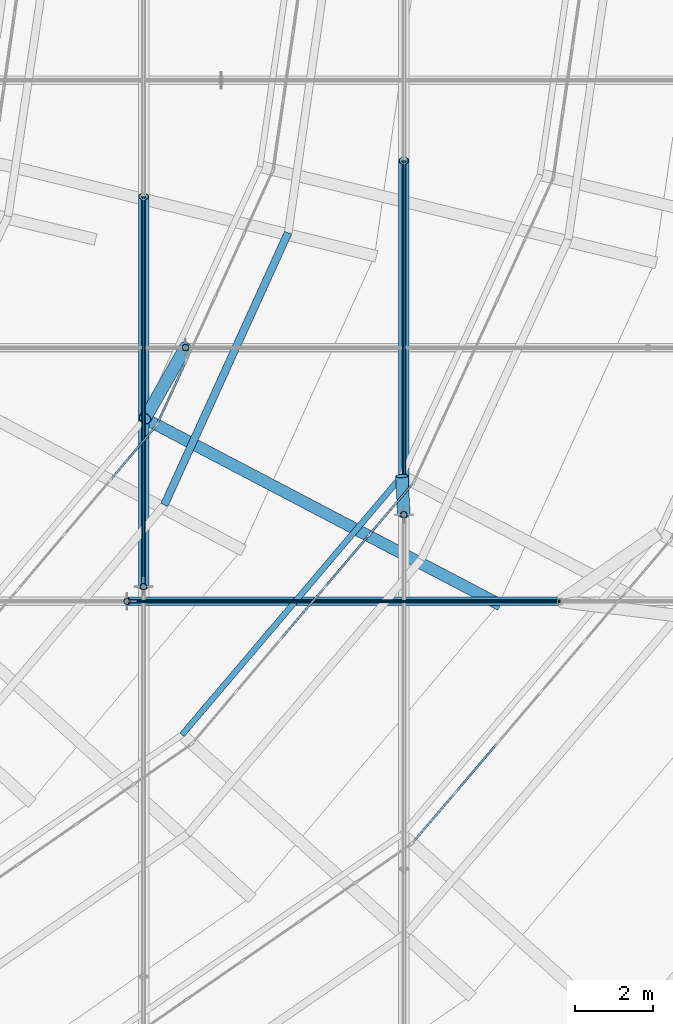
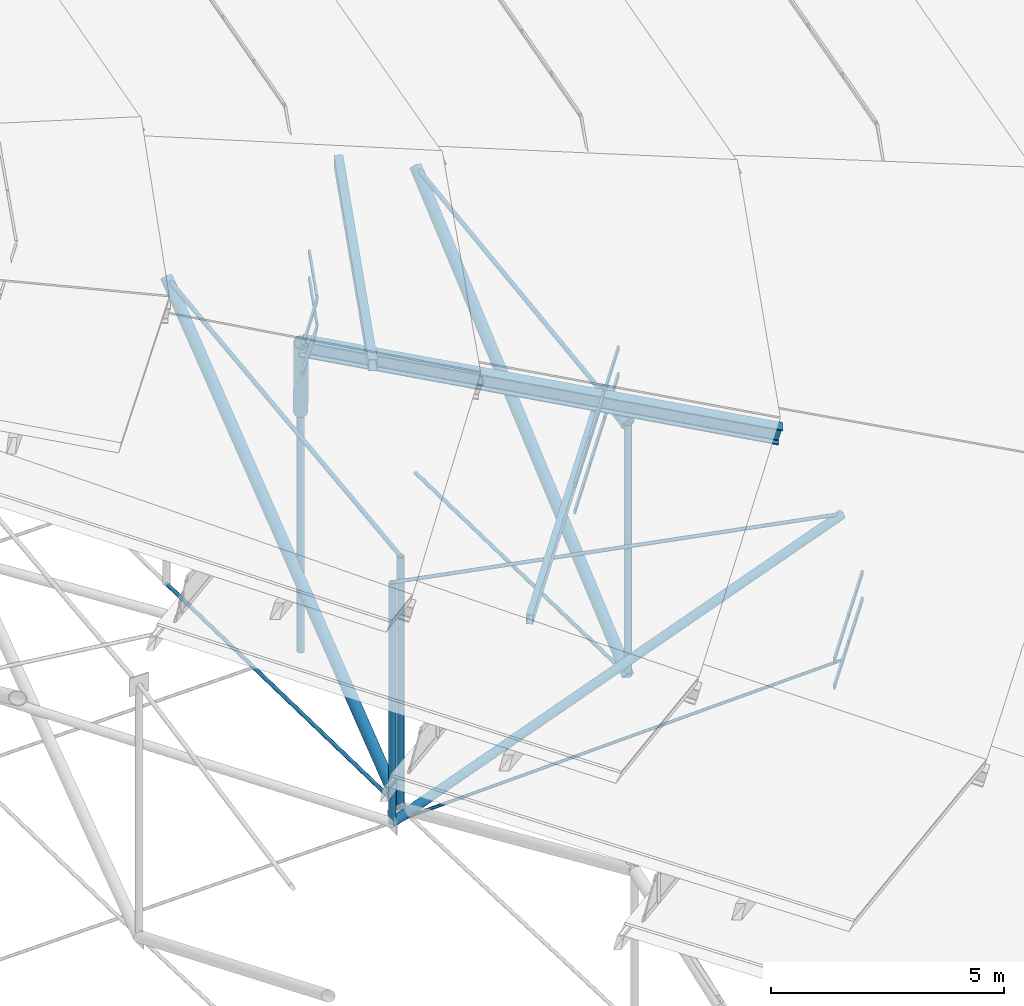
# One storey, part 80 of 173: 32 members, 4 elements without a shape of their own.
"""IFC4 building model written with IfcOpenShell, lengths in metres."""

import ifcopenshell
import ifcopenshell.guid

model = None  # the IFC model being written
_history = None  # IfcOwnerHistory: only IFC2X3 demands one
_inside = {}  # id of a spatial element -> (the spatial element, [elements in it])
_under = {}  # id of a project, library or spatial element -> (it, [spatial elements below it])
_declared = {}  # id of a project -> (the project, [libraries it declares])
_typed = {}  # id of a type object -> (the type object, [elements of that type])
_made_of = {}  # id of a material, layer set ... -> (it, [elements and type objects made of it])


def new_model(schema):
    """Start an empty IFC model of exactly this schema.

    Asked for "IFC4X3", IfcOpenShell would pick the latest addendum, in which some entities
    have other attributes; the version numbers below select the first issue.
    IFC2X3 requires an IfcOwnerHistory on every rooted entity: one is made here for all.
    """
    global model, _history
    if schema == "IFC4X3":
        model = ifcopenshell.file(schema_version=(4, 3, 0, 0))
    else:
        model = ifcopenshell.file(schema=schema)
    _inside.clear()
    _under.clear()
    _declared.clear()
    _typed.clear()
    _made_of.clear()
    _history = None
    if model.schema == "IFC2X3":
        org = make("IfcOrganization", Name="unknown")
        user = make(
            "IfcPersonAndOrganization",
            ThePerson=make("IfcPerson", FamilyName="unknown"),
            TheOrganization=org,
        )
        app = make(
            "IfcApplication",
            ApplicationDeveloper=org,
            Version="unknown",
            ApplicationFullName="unknown",
            ApplicationIdentifier="unknown",
        )
        _history = make(
            "IfcOwnerHistory",
            OwningUser=user,
            OwningApplication=app,
            ChangeAction="ADDED",
            CreationDate=0,
        )
    return model


def make(cls, **values):
    """One entity of the class cls with the attributes given. An attribute that is None is left unset."""
    return model.create_entity(
        cls, **{name: value for name, value in values.items() if value is not None}
    )


def rooted(cls, **values):
    """An entity with a GlobalId (a new one), such as an element, a storey or a relation."""
    return make(cls, GlobalId=ifcopenshell.guid.new(), OwnerHistory=_history, **values)


def si_unit(unit_type, name, prefix=None):
    """IfcSIUnit, for example si_unit("LENGTHUNIT", "METRE", prefix="MILLI")."""
    return make("IfcSIUnit", UnitType=unit_type, Prefix=prefix, Name=name)


def assignment(units):
    """IfcUnitAssignment: the units of a project."""
    return None if units is None else make("IfcUnitAssignment", Units=units)


def point(xyz):
    """IfcCartesianPoint."""
    return None if xyz is None else make("IfcCartesianPoint", Coordinates=xyz)


def direction(xyz):
    """IfcDirection."""
    return None if xyz is None else make("IfcDirection", DirectionRatios=xyz)


def frame(location, z_axis=None, x_axis=None):
    """IfcAxis2Placement3D, a coordinate frame: its origin and axes. An axis left out is left unset."""
    return make(
        "IfcAxis2Placement3D",
        Location=point(location),
        Axis=direction(z_axis),
        RefDirection=direction(x_axis),
    )


def frame_2d(location, x_axis=None):
    """IfcAxis2Placement2D, a coordinate frame in the plane: its origin and x axis."""
    return make(
        "IfcAxis2Placement2D", Location=point(location), RefDirection=direction(x_axis)
    )


def origin():
    """The frame at (0, 0, 0) with its axes left unset."""
    return frame((0.0, 0.0, 0.0))


def origin_2d():
    """The frame at (0, 0) in the plane with its x axis left unset."""
    return frame_2d((0.0, 0.0))


def place(relative_to, where):
    """IfcLocalPlacement: puts the frame where relative to a parent placement (None: the world)."""
    return make(
        "IfcLocalPlacement", PlacementRelTo=relative_to, RelativePlacement=where
    )


def context(
    kind, dimensions, precision=None, world=None, true_north=None, identifier=None
):
    """IfcGeometricRepresentationContext, for example the 3D "Model" context."""
    return make(
        "IfcGeometricRepresentationContext",
        ContextIdentifier=identifier,
        ContextType=kind,
        CoordinateSpaceDimension=dimensions,
        Precision=precision,
        WorldCoordinateSystem=world,
        TrueNorth=true_north,
    )


def subcontext(parent, identifier, kind, view, scale=None):
    """IfcGeometricRepresentationSubContext, for example "Body" below "Model"."""
    return make(
        "IfcGeometricRepresentationSubContext",
        ContextIdentifier=identifier,
        ContextType=kind,
        ParentContext=parent,
        TargetScale=scale,
        TargetView=view,
    )


def project(units=None, contexts=None):
    """IfcProject with its units and contexts."""
    return rooted(
        "IfcProject",
        Name="project",
        RepresentationContexts=contexts,
        UnitsInContext=assignment(units),
    )


def spatial(cls, under=None, at=None, **own):
    """A site, building, storey or space (cls), placed at a placement, below another one or the project."""
    s = rooted(cls, ObjectPlacement=at, **own)
    if under is not None:
        _under.setdefault(under.id(), (under, []))[1].append(s)
    return s


def profile(cls, at=None, kind="AREA", **sizes):
    """A parametric profile (cls). Its sizes go by their IFC names, for example OverallWidth=200.0."""
    return make(cls, ProfileType=kind, Position=at, **sizes)


def rectangle(**sizes):
    """IfcRectangleProfileDef."""
    return profile("IfcRectangleProfileDef", **sizes)


def hollow_rectangle(**sizes):
    """IfcRectangleHollowProfileDef."""
    return profile("IfcRectangleHollowProfileDef", **sizes)


def circle(**sizes):
    """IfcCircleProfileDef."""
    return profile("IfcCircleProfileDef", **sizes)


def hollow_circle(**sizes):
    """IfcCircleHollowProfileDef."""
    return profile("IfcCircleHollowProfileDef", **sizes)


def i_section(**sizes):
    """IfcIShapeProfileDef."""
    return profile("IfcIShapeProfileDef", **sizes)


def extrude(swept, where, along, depth):
    """IfcExtrudedAreaSolid: the profile swept, set in the frame where, extruded along a direction by depth."""
    return make(
        "IfcExtrudedAreaSolid",
        SweptArea=swept,
        Position=where,
        ExtrudedDirection=direction(along),
        Depth=depth,
    )


def shape(context_of_items, identifier, shape_type, items):
    """IfcShapeRepresentation: the items that make up one representation, for example the "Body"."""
    return make(
        "IfcShapeRepresentation",
        ContextOfItems=context_of_items,
        RepresentationIdentifier=identifier,
        RepresentationType=shape_type,
        Items=items,
    )


def material(Name=None, Category=None):
    """IfcMaterial."""
    return make("IfcMaterial", Name=Name, Category=Category)


def material_profile(
    of_material, cross_section, Name=None, Category=None, Priority=None
):
    """IfcMaterialProfile: a cross section and its material."""
    return make(
        "IfcMaterialProfile",
        Name=Name,
        Material=of_material,
        Profile=cross_section,
        Priority=Priority,
        Category=Category,
    )


def profile_set(profiles, Name=None, composite=None):
    """IfcMaterialProfileSet."""
    return make(
        "IfcMaterialProfileSet",
        Name=Name,
        MaterialProfiles=profiles,
        CompositeProfile=composite,
    )


def made_of(thing, what):
    """Note that an element or type object is made of a material, layer set ...; save() writes the relation."""
    if what is not None:
        _made_of.setdefault(what.id(), (what, []))[1].append(thing)
    return thing


def type_object(cls, material=None, **own):
    """A type object (cls), such as IfcWallType, which elements share."""
    return made_of(rooted(cls, **own), material)


def element(
    cls,
    number,
    at=None,
    inside=None,
    cuts=None,
    type_object=None,
    material=None,
    context=None,
    identifier="Body",
    shape_type=None,
    held_by="IfcProductDefinitionShape",
    body=None,
    shapes=None,
    **own,
):
    """One element of the class cls, such as IfcWall. Its Tag is "e" and its number.

    at: its placement. inside: the storey or other place that contains it. cuts: it is an
    opening in that element (IfcRelVoidsElement). A single representation is given by context,
    identifier, shape_type and body (its items); several are given by shapes. held_by: the class
    of the entity that holds the representations. save() writes the other relations.
    """
    e = rooted(cls, Tag="e%d" % number, ObjectPlacement=at, **own)
    if body is not None:
        shapes = [shape(context, identifier, shape_type, body)]
    if shapes is not None:
        e.Representation = make(held_by, Representations=shapes)
    if inside is not None:
        _inside.setdefault(inside.id(), (inside, []))[1].append(e)
    if cuts is not None:
        rooted(
            "IfcRelVoidsElement", RelatingBuildingElement=cuts, RelatedOpeningElement=e
        )
    if type_object is not None:
        _typed.setdefault(type_object.id(), (type_object, []))[1].append(e)
    return made_of(e, material)


def aggregate(whole, parts):
    """IfcRelAggregates: a whole, such as a stair, and the parts it consists of."""
    return rooted("IfcRelAggregates", RelatingObject=whole, RelatedObjects=parts)


def save(model, path):
    """Write the relations noted so far, then the file.

    IfcRelAggregates (storeys below a building ...), IfcRelContainedInSpatialStructure (elements
    in a storey), IfcRelDefinesByType, IfcRelAssociatesMaterial and IfcRelDeclares: one each for
    every whole, place, type object, material and project.
    """
    for whole, parts in _under.values():
        aggregate(whole, parts)
    for where, things in _inside.values():
        rooted(
            "IfcRelContainedInSpatialStructure",
            RelatedElements=things,
            RelatingStructure=where,
        )
    for kind, things in _typed.values():
        rooted("IfcRelDefinesByType", RelatedObjects=things, RelatingType=kind)
    for what, things in _made_of.values():
        rooted("IfcRelAssociatesMaterial", RelatedObjects=things, RelatingMaterial=what)
    for by, libraries in _declared.values():
        rooted("IfcRelDeclares", RelatingContext=by, RelatedDefinitions=libraries)
    model.write(path)


model = new_model("IFC4")

# Units and contexts
model_context = context("Model", 3, precision=1e-05, world=origin(), true_north=direction((0.0, 1.0)))
body_context = subcontext(model_context, "Body", "Model", "MODEL_VIEW")
ifc_project = project(units=[si_unit("LENGTHUNIT", "METRE"), si_unit("AREAUNIT", "SQUARE_METRE"), si_unit("VOLUMEUNIT", "CUBIC_METRE"), si_unit("PLANEANGLEUNIT", "RADIAN"), si_unit("MASSUNIT", "GRAM", prefix="KILO")], contexts=[model_context])

# Site, building, storey
site_placement = place(None, origin())
site = spatial("IfcSite", under=ifc_project, at=site_placement, CompositionType="ELEMENT")
building_placement = place(site_placement, origin())
building = spatial("IfcBuilding", under=site, at=building_placement, Name="Glasvene Arena", CompositionType="ELEMENT")
storey_placement = place(building_placement, frame((0.0, 0.0, 28.800048828125)))
storey = spatial("IfcBuildingStorey", under=building, at=storey_placement, Name="RF", CompositionType="ELEMENT", Elevation=28.800048828125)

# Curtain wall, members
ifc_material_1 = material(Name="Low-emissivity laminated double glazing", Category="glass")
curtain_wall_type_1 = type_object("IfcCurtainWallType", Name="CW-PET1-1026x75", PredefinedType="USERDEFINED", material=ifc_material_1)
curtain_wall_1_placement = place(storey_placement, frame((121.59228515625, 46.342041015625, 0.0)))
curtain_wall_1 = element("IfcCurtainWall", 1, at=curtain_wall_1_placement, inside=storey, type_object=curtain_wall_type_1, Name="Petal ring 1-2 clerestory curtain wall 22", ObjectType="CURTAIN WALL", PredefinedType="USERDEFINED")
ifc_material_2 = material(Name="Anodised architectural aluminium", Category="aluminium")
ifc_material_profile_1 = material_profile(ifc_material_2, rectangle(XDim=0.050048828125, YDim=0.1201171875, at=origin_2d()), Name="ALU TRANSOM 50x120")
ifc_profile_set_1 = profile_set([ifc_material_profile_1], Name="Anodised architectural aluminium")
member_type_1 = type_object("IfcMemberType", Name="CW-TRN-120", PredefinedType="USERDEFINED", material=ifc_profile_set_1)
member_1_placement = place(storey_placement, frame((121.624755859375, 46.380126953125, 2.60498046875), z_axis=(0.648463249482, 0.761245961613, 0.0), x_axis=(-0.761245961613, 0.648463249482, 0.0)))
member_1 = element("IfcMember", 2, at=member_1_placement, type_object=member_type_1, Name="CW-083 transom 1.1", ObjectType="TRANSOM", PredefinedType="USERDEFINED", context=body_context, shape_type="SweptSolid", body=[
    extrude(rectangle(XDim=0.050048828125, YDim=0.1201171875, at=origin_2d()), origin(), (0.0, 0.0, 1.0), 1.63427734375),
])
member_2_placement = place(storey_placement, frame((121.624755859375, 46.380126953125, 3.304931640625), z_axis=(0.648463249482, 0.761245961613, 0.0), x_axis=(-0.761245961613, 0.648463249482, 0.0)))
member_2 = element("IfcMember", 3, at=member_2_placement, type_object=member_type_1, Name="CW-083 transom 1.2", ObjectType="TRANSOM", PredefinedType="USERDEFINED", context=body_context, shape_type="SweptSolid", body=[
    extrude(rectangle(XDim=0.050048828125, YDim=0.1201171875, at=origin_2d()), origin(), (0.0, 0.0, 1.0), 1.63427734375),
])
member_3_placement = place(storey_placement, frame((122.717041015625, 47.662353515625, 2.60498046875), z_axis=(0.648438039829, 0.761267435598, 0.0), x_axis=(-0.761267435598, 0.648438039829, 0.0)))
member_3 = element("IfcMember", 4, at=member_3_placement, type_object=member_type_1, Name="CW-083 transom 2.1", ObjectType="TRANSOM", PredefinedType="USERDEFINED", context=body_context, shape_type="SweptSolid", body=[
    extrude(rectangle(XDim=0.050048828125, YDim=0.1201171875, at=origin_2d()), origin(), (0.0, 0.0, 1.0), 1.65966796875),
])
member_4_placement = place(storey_placement, frame((122.717041015625, 47.662353515625, 3.304931640625), z_axis=(0.648438039829, 0.761267435598, 0.0), x_axis=(-0.761267435598, 0.648438039829, 0.0)))
member_4 = element("IfcMember", 5, at=member_4_placement, type_object=member_type_1, Name="CW-083 transom 2.2", ObjectType="TRANSOM", PredefinedType="USERDEFINED", context=body_context, shape_type="SweptSolid", body=[
    extrude(rectangle(XDim=0.050048828125, YDim=0.1201171875, at=origin_2d()), origin(), (0.0, 0.0, 1.0), 1.65966796875),
])
aggregate(curtain_wall_1, [member_1, member_2, member_3, member_4])

curtain_wall_type_2 = type_object("IfcCurtainWallType", Name="CW-PET2-882x75", PredefinedType="USERDEFINED", material=ifc_material_1)
curtain_wall_2_placement = place(storey_placement, frame((115.93505859375, 48.904296875, 0.0)))
curtain_wall_2 = element("IfcCurtainWall", 6, at=curtain_wall_2_placement, inside=storey, type_object=curtain_wall_type_2, Name="Petal ring 2-3 clerestory curtain wall 22", ObjectType="CURTAIN WALL", PredefinedType="USERDEFINED")
member_5_placement = place(storey_placement, frame((118.2333984375, 51.61181640625, 5.204833984375), z_axis=(0.647180817857, 0.76233653264, 0.0), x_axis=(-0.76233653264, 0.647180817857, 0.0)))
member_5 = element("IfcMember", 7, at=member_5_placement, type_object=member_type_1, Name="CW-089 transom 3.1", ObjectType="TRANSOM", PredefinedType="USERDEFINED", context=body_context, shape_type="SweptSolid", body=[
    extrude(rectangle(XDim=0.050048828125, YDim=0.1201171875, at=origin_2d()), origin(), (0.0, 0.0, 1.0), 1.713134765625),
])
member_6_placement = place(storey_placement, frame((118.2333984375, 51.61181640625, 5.905029296875), z_axis=(0.647180817857, 0.76233653264, 0.0), x_axis=(-0.76233653264, 0.647180817857, 0.0)))
member_6 = element("IfcMember", 8, at=member_6_placement, type_object=member_type_1, Name="CW-089 transom 3.2", ObjectType="TRANSOM", PredefinedType="USERDEFINED", context=body_context, shape_type="SweptSolid", body=[
    extrude(rectangle(XDim=0.050048828125, YDim=0.1201171875, at=origin_2d()), origin(), (0.0, 0.0, 1.0), 1.713134765625),
])
member_7_placement = place(storey_placement, frame((119.37451171875, 52.955810546875, 5.204833984375), z_axis=(0.647180817857, 0.76233653264, 0.0), x_axis=(-0.76233653264, 0.647180817857, 0.0)))
member_7 = element("IfcMember", 9, at=member_7_placement, type_object=member_type_1, Name="CW-089 transom 4.1", ObjectType="TRANSOM", PredefinedType="USERDEFINED", context=body_context, shape_type="SweptSolid", body=[
    extrude(rectangle(XDim=0.050048828125, YDim=0.1201171875, at=origin_2d()), origin(), (0.0, 0.0, 1.0), 1.713134765625),
])
member_8_placement = place(storey_placement, frame((119.37451171875, 52.955810546875, 5.905029296875), z_axis=(0.647180817857, 0.76233653264, 0.0), x_axis=(-0.76233653264, 0.647180817857, 0.0)))
member_8 = element("IfcMember", 10, at=member_8_placement, type_object=member_type_1, Name="CW-089 transom 4.2", ObjectType="TRANSOM", PredefinedType="USERDEFINED", context=body_context, shape_type="SweptSolid", body=[
    extrude(rectangle(XDim=0.050048828125, YDim=0.1201171875, at=origin_2d()), origin(), (0.0, 0.0, 1.0), 1.713134765625),
])
member_9_placement = place(storey_placement, frame((120.515380859375, 54.300048828125, 5.204833984375), z_axis=(0.647199107882, 0.762321005061, 0.0), x_axis=(-0.762321005061, 0.647199107882, 0.0)))
member_9 = element("IfcMember", 11, at=member_9_placement, type_object=member_type_1, Name="CW-089 transom 5.1", ObjectType="TRANSOM", PredefinedType="USERDEFINED", context=body_context, shape_type="SweptSolid", body=[
    extrude(rectangle(XDim=0.050048828125, YDim=0.1201171875, at=origin_2d()), origin(), (0.0, 0.0, 1.0), 1.68798828125),
])
member_10_placement = place(storey_placement, frame((120.515380859375, 54.300048828125, 5.905029296875), z_axis=(0.647199107882, 0.762321005061, 0.0), x_axis=(-0.762321005061, 0.647199107882, 0.0)))
member_10 = element("IfcMember", 12, at=member_10_placement, type_object=member_type_1, Name="CW-089 transom 5.2", ObjectType="TRANSOM", PredefinedType="USERDEFINED", context=body_context, shape_type="SweptSolid", body=[
    extrude(rectangle(XDim=0.050048828125, YDim=0.1201171875, at=origin_2d()), origin(), (0.0, 0.0, 1.0), 1.68798828125),
])
aggregate(curtain_wall_2, [member_5, member_6, member_7, member_8, member_9, member_10])

curtain_wall_type_3 = type_object("IfcCurtainWallType", Name="CW-PET3-737x75", PredefinedType="USERDEFINED", material=ifc_material_1)
curtain_wall_3_placement = place(storey_placement, frame((110.27783203125, 51.466796875, 0.0)))
curtain_wall_3 = element("IfcCurtainWall", 13, at=curtain_wall_3_placement, inside=storey, type_object=curtain_wall_type_3, Name="Petal ring 3-4 clerestory curtain wall 22", ObjectType="CURTAIN WALL", PredefinedType="USERDEFINED")
member_11_placement = place(storey_placement, frame((113.86376953125, 55.710693359375, 7.85498046875), z_axis=(0.645329428667, 0.763904397485, 0.0), x_axis=(-0.763904397485, 0.645329428667, 0.0)))
member_11 = element("IfcMember", 14, at=member_11_placement, type_object=member_type_1, Name="CW-095 transom 4.1", ObjectType="TRANSOM", PredefinedType="USERDEFINED", context=body_context, shape_type="SweptSolid", body=[
    extrude(rectangle(XDim=0.050048828125, YDim=0.1201171875, at=origin_2d()), origin(), (0.0, 0.0, 1.0), 1.7685546875),
])
member_12_placement = place(storey_placement, frame((113.86376953125, 55.710693359375, 8.554931640625), z_axis=(0.645329428667, 0.763904397485, 0.0), x_axis=(-0.763904397485, 0.645329428667, 0.0)))
member_12 = element("IfcMember", 15, at=member_12_placement, type_object=member_type_1, Name="CW-095 transom 4.2", ObjectType="TRANSOM", PredefinedType="USERDEFINED", context=body_context, shape_type="SweptSolid", body=[
    extrude(rectangle(XDim=0.050048828125, YDim=0.1201171875, at=origin_2d()), origin(), (0.0, 0.0, 1.0), 1.7685546875),
])
aggregate(curtain_wall_3, [member_11, member_12])

curtain_wall_type_4 = type_object("IfcCurtainWallType", Name="CW-PET3-721x75", PredefinedType="USERDEFINED", material=ifc_material_1)
curtain_wall_4_placement = place(storey_placement, frame((115.03759765625, 57.10009765625, 0.0)))
curtain_wall_4 = element("IfcCurtainWall", 16, at=curtain_wall_4_placement, inside=storey, type_object=curtain_wall_type_4, Name="Petal ring 3-4 clerestory curtain wall 23", ObjectType="CURTAIN WALL", PredefinedType="USERDEFINED")
member_13_placement = place(storey_placement, frame((115.058349609375, 57.1455078125, 7.85498046875), z_axis=(0.41493129329, 0.909852747344, 0.0), x_axis=(-0.909852747344, 0.41493129329, 0.0)))
member_13 = element("IfcMember", 17, at=member_13_placement, type_object=member_type_1, Name="CW-094 transom 1.1", ObjectType="TRANSOM", PredefinedType="USERDEFINED", context=body_context, shape_type="SweptSolid", body=[
    extrude(rectangle(XDim=0.050048828125, YDim=0.1201171875, at=origin_2d()), origin(), (0.0, 0.0, 1.0), 1.7275390625),
])
member_14_placement = place(storey_placement, frame((115.058349609375, 57.1455078125, 8.554931640625), z_axis=(0.41493129329, 0.909852747344, 0.0), x_axis=(-0.909852747344, 0.41493129329, 0.0)))
member_14 = element("IfcMember", 18, at=member_14_placement, type_object=member_type_1, Name="CW-094 transom 1.2", ObjectType="TRANSOM", PredefinedType="USERDEFINED", context=body_context, shape_type="SweptSolid", body=[
    extrude(rectangle(XDim=0.050048828125, YDim=0.1201171875, at=origin_2d()), origin(), (0.0, 0.0, 1.0), 1.7275390625),
])
aggregate(curtain_wall_4, [member_13, member_14])

# Members
ifc_material_3 = material(Name="High-strength steel spiral strand S460", Category="steel")
ifc_material_profile_2 = material_profile(ifc_material_3, circle(Radius=0.052490234375, at=origin_2d()), Name="LCSS D105")
ifc_profile_set_2 = profile_set([ifc_material_profile_2], Name="High-strength steel spiral strand S460")
member_type_2 = type_object("IfcMemberType", Name="MB-CABLE-105", PredefinedType="USERDEFINED", material=ifc_profile_set_2)
member_15_placement = place(storey_placement, frame((121.389404296875, 54.797119140625, 4.472900390625), z_axis=(0.0, 0.991170919205, 0.132590380206), x_axis=(-1.0, 0.0, 0.0)))
element("IfcMember", 19, at=member_15_placement, inside=storey, type_object=member_type_2, Name="Upper lens roof cable NS01-03", ObjectType="ROOF CABLE", PredefinedType="USERDEFINED", context=body_context, shape_type="SweptSolid", body=[
    extrude(circle(Radius=0.052490234375, at=origin_2d()), origin(), (0.0, 0.0, 1.0), 9.1826171875),
])
member_16_placement = place(storey_placement, frame((114.699462890625, 52.952392578125, 4.472900390625), z_axis=(0.0, 0.992704081728, 0.120576142422), x_axis=(-1.0, 0.0, 0.0)))
element("IfcMember", 20, at=member_16_placement, inside=storey, type_object=member_type_2, Name="Upper lens roof cable NS02-03", ObjectType="ROOF CABLE", PredefinedType="USERDEFINED", context=body_context, shape_type="SweptSolid", body=[
    extrude(circle(Radius=0.052490234375, at=origin_2d()), origin(), (0.0, 0.0, 1.0), 10.09765625),
])
ifc_material_profile_3 = material_profile(ifc_material_3, circle(Radius=0.03759765625, at=origin_2d()), Name="LCSS D75")
ifc_profile_set_3 = profile_set([ifc_material_profile_3], Name="High-strength steel spiral strand S460")
member_type_3 = type_object("IfcMemberType", Name="MB-CABLE-75", PredefinedType="USERDEFINED", material=ifc_profile_set_3)
member_17_placement = place(storey_placement, frame((114.275146484375, 52.5703125, -2.112548828125), z_axis=(0.999479818226, 0.0, 0.032250472225), x_axis=(0.0, 1.0, 0.0)))
element("IfcMember", 21, at=member_17_placement, inside=storey, type_object=member_type_3, Name="Lower stabilization roof cable EW01-07", ObjectType="ROOF CABLE", PredefinedType="USERDEFINED", context=body_context, shape_type="SweptSolid", body=[
    extrude(circle(Radius=0.03759765625, at=origin_2d()), origin(), (0.0, 0.0, 1.0), 11.143310546875),
])
ifc_material_profile_4 = material_profile(ifc_material_3, circle(Radius=0.044921875, at=origin_2d()), Name="LCSS D90")
ifc_profile_set_4 = profile_set([ifc_material_profile_4], Name="High-strength steel spiral strand S460")
member_type_4 = type_object("IfcMemberType", Name="MB-CABLE-90", PredefinedType="USERDEFINED", material=ifc_profile_set_4)
member_18_placement = place(storey_placement, frame((121.389404296875, 54.797119140625, -2.112548828125), z_axis=(0.0, 0.999719613617, -0.023678981192), x_axis=(-1.0, 0.0, 0.0)))
element("IfcMember", 22, at=member_18_placement, inside=storey, type_object=member_type_4, Name="Lower stabilization roof cable NS01-03", ObjectType="ROOF CABLE", PredefinedType="USERDEFINED", context=body_context, shape_type="SweptSolid", body=[
    extrude(circle(Radius=0.044921875, at=origin_2d()), origin(), (0.0, 0.0, 1.0), 9.10400390625),
])
member_19_placement = place(storey_placement, frame((114.699462890625, 52.952392578125, -2.112548828125), z_axis=(0.0, 0.999768822687, -0.021501190278), x_axis=(-1.0, 0.0, 0.0)))
element("IfcMember", 23, at=member_19_placement, inside=storey, type_object=member_type_4, Name="Lower stabilization roof cable NS02-03", ObjectType="ROOF CABLE", PredefinedType="USERDEFINED", context=body_context, shape_type="SweptSolid", body=[
    extrude(circle(Radius=0.044921875, at=origin_2d()), origin(), (0.0, 0.0, 1.0), 10.026123046875),
])
member_20_placement = place(storey_placement, frame((114.275146484375, 52.5703125, 4.1669921875), z_axis=(0.982588423087, 0.0, -0.185795561883), x_axis=(0.0, 1.0, 0.0)))
element("IfcMember", 24, at=member_20_placement, inside=storey, type_object=member_type_4, Name="Upper lens roof cable EW01-07", ObjectType="ROOF CABLE", PredefinedType="USERDEFINED", context=body_context, shape_type="SweptSolid", body=[
    extrude(circle(Radius=0.044921875, at=origin_2d()), origin(), (0.0, 0.0, 1.0), 11.334716796875),
])
ifc_material_4 = material(Name="Steel S355J2", Category="steel")
ifc_material_profile_5 = material_profile(ifc_material_4, i_section(OverallWidth=0.300048828125, OverallDepth=0.39990234375, WebThickness=0.013427734375, FlangeThickness=0.02392578125, FilletRadius=0.027099609375, at=origin_2d()), Name="HEB 400")
ifc_profile_set_5 = profile_set([ifc_material_profile_5], Name="Steel S355J2")
member_type_5 = type_object("IfcMemberType", Name="MB-CHORD-HEB400", PredefinedType="CHORD", material=ifc_profile_set_5)
member_21_placement = place(storey_placement, frame((123.82763671875, 52.5, 4.75), z_axis=(-0.85862769906, 0.449992286035, 0.245490156454), x_axis=(-0.464197144082, -0.885731907197, 0.0)))
element("IfcMember", 25, at=member_21_placement, inside=storey, type_object=member_type_5, Name="Petal ring 3 radial rib 23", PredefinedType="CHORD", context=body_context, shape_type="SweptSolid", body=[
    extrude(i_section(OverallWidth=0.300048828125, OverallDepth=0.39990234375, WebThickness=0.013427734375, FlangeThickness=0.02392578125, FilletRadius=0.027099609375, at=origin_2d()), origin(), (0.0, 0.0, 1.0), 10.590576171875),
])
ifc_material_profile_6 = material_profile(ifc_material_4, hollow_circle(Radius=0.161865234375, WallThickness=0.01611328125, at=origin_2d()), Name="CHS 323.9x16.0")
ifc_profile_set_6 = profile_set([ifc_material_profile_6], Name="Steel S355J2")
member_type_6 = type_object("IfcMemberType", Name="MB-POST-CHS324", PredefinedType="BRACE", material=ifc_profile_set_6)
member_22_placement = place(storey_placement, frame((121.389404296875, 54.797119140625, 4.472900390625), z_axis=(-0.05005435635, 0.953839556989, 0.296115958594), x_axis=(-0.998625935034, -0.052404597866, 0.0)))
element("IfcMember", 26, at=member_22_placement, inside=storey, type_object=member_type_6, Name="Petal ring 2 ridge support post 23", PredefinedType="BRACE", context=body_context, shape_type="SweptSolid", body=[
    extrude(hollow_circle(Radius=0.161865234375, WallThickness=0.01611328125, at=origin_2d()), origin(), (0.0, 0.0, 1.0), 1.043701171875),
])
member_23_placement = place(storey_placement, frame((115.7763671875, 59.09423828125, 4.1669921875), z_axis=(-0.26824573532, -0.470749896332, 0.840499113971), x_axis=(0.868842140246, -0.495089219569, 0.0)))
element("IfcMember", 27, at=member_23_placement, inside=storey, type_object=member_type_6, Name="Petal ring 3 ridge support post 23", PredefinedType="BRACE", context=body_context, shape_type="SweptSolid", body=[
    extrude(hollow_circle(Radius=0.161865234375, WallThickness=0.01611328125, at=origin_2d()), origin(), (0.0, 0.0, 1.0), 3.884521484375),
])
ifc_material_profile_7 = material_profile(ifc_material_4, hollow_rectangle(XDim=0.14990234375, YDim=0.25, WallThickness=0.010009765625, at=origin_2d()), Name="RHS 250x150x10.0")
ifc_profile_set_7 = profile_set([ifc_material_profile_7], Name="Steel S355J2")
member_type_7 = type_object("IfcMemberType", Name="MB-PURLIN-RHS250", PredefinedType="PURLIN", material=ifc_profile_set_7)
member_24_placement = place(storey_placement, frame((115.687744140625, 49.1416015625, 4.781982421875), z_axis=(0.647379576609, 0.76216775305, 0.0), x_axis=(-0.76216775305, 0.647379576609, 0.0)))
element("IfcMember", 28, at=member_24_placement, inside=storey, type_object=member_type_7, Name="Petal ring 2 ridge purlin 22", PredefinedType="PURLIN", context=body_context, shape_type="SweptSolid", body=[
    extrude(hollow_rectangle(XDim=0.14990234375, YDim=0.25, WallThickness=0.010009765625, at=origin_2d()), origin(), (0.0, 0.0, 1.0), 8.7265625),
])
ifc_material_profile_8 = material_profile(ifc_material_4, hollow_rectangle(XDim=0.199951171875, YDim=0.300048828125, WallThickness=0.012451171875, at=origin_2d()), Name="RHS 300x200x12.5")
ifc_profile_set_8 = profile_set([ifc_material_profile_8], Name="Steel S355J2")
member_type_8 = type_object("IfcMemberType", Name="MB-PURLIN-RHS300", PredefinedType="PURLIN", material=ifc_profile_set_8)
member_25_placement = place(storey_placement, frame((115.23291015625, 55.050048828125, 8.00048828125), z_axis=(0.414097366864, 0.91023259157, 0.0), x_axis=(-0.91023259157, 0.414097366864, 0.0)))
element("IfcMember", 29, at=member_25_placement, inside=storey, type_object=member_type_8, Name="Petal ring 4 outer purlin 23", PredefinedType="PURLIN", context=body_context, shape_type="SweptSolid", body=[
    extrude(hollow_rectangle(XDim=0.199951171875, YDim=0.300048828125, WallThickness=0.012451171875, at=origin_2d()), origin(), (0.0, 0.0, 1.0), 7.683837890625),
])
ifc_material_profile_9 = material_profile(ifc_material_4, hollow_circle(Radius=0.084228515625, WallThickness=0.008056640625, at=origin_2d()), Name="CHS 168.3x8.0")
ifc_profile_set_9 = profile_set([ifc_material_profile_9], Name="Steel S355J2")
member_type_9 = type_object("IfcMemberType", Name="MB-WEB-CHS168", PredefinedType="BRACE", material=ifc_profile_set_9)
for number, where, z_axis, x_axis, name in (
    (30, (121.389404296875, 54.797119140625, -2.112548828125), (0.0, 0.0, 1.0), (1.0, 0.0, 0.0), "Cable-truss vertical strut NS01-02"),
    (31, (114.699462890625, 52.952392578125, -2.112548828125), (0.0, 0.0, 1.0), (1.0, 0.0, 0.0), "Cable-truss vertical strut NS02-02"),
):
    element("IfcMember", number, at=place(storey_placement, frame(where, z_axis=z_axis, x_axis=x_axis)), inside=storey, type_object=member_type_9, Name=name, PredefinedType="BRACE", context=body_context, shape_type="SweptSolid", body=[
        extrude(hollow_circle(Radius=0.084228515625, WallThickness=0.008056640625, at=origin_2d()), origin(), (0.0, 0.0, 1.0), 6.58544921875),
    ])
for number, where, z_axis, x_axis, name in (
    (32, (114.275146484375, 52.5703125, -2.112548828125), (0.0, 0.0, 1.0), (1.0, 0.0, 0.0), "Cable-truss vertical strut EW01-06"),
    (33, (115.7763671875, 59.09423828125, -2.112548828125), (0.0, 0.0, 1.0), (1.0, 0.0, 0.0), "Cable-truss vertical strut EW02-06"),
):
    element("IfcMember", number, at=place(storey_placement, frame(where, z_axis=z_axis, x_axis=x_axis)), inside=storey, type_object=member_type_9, Name=name, PredefinedType="BRACE", context=body_context, shape_type="SweptSolid", body=[
        extrude(hollow_circle(Radius=0.084228515625, WallThickness=0.008056640625, at=origin_2d()), origin(), (0.0, 0.0, 1.0), 6.279541015625),
    ])
ifc_material_profile_10 = material_profile(ifc_material_4, hollow_circle(Radius=0.109619140625, WallThickness=0.010009765625, at=origin_2d()), Name="CHS 219.1x10.0")
ifc_profile_set_10 = profile_set([ifc_material_profile_10], Name="Steel S355J2")
member_type_10 = type_object("IfcMemberType", Name="MB-WEB-CHS219", PredefinedType="BRACE", material=ifc_profile_set_10)
member_26_placement = place(storey_placement, frame((114.275146484375, 52.5703125, -2.112548828125), z_axis=(0.936410978058, 0.0, 0.350905229617), x_axis=(0.0, 1.0, 0.0)))
element("IfcMember", 34, at=member_26_placement, inside=storey, type_object=member_type_10, Name="Cable-truss diagonal web strut EW01-07", PredefinedType="BRACE", context=body_context, shape_type="SweptSolid", body=[
    extrude(hollow_circle(Radius=0.109619140625, WallThickness=0.010009765625, at=origin_2d()), origin(), (0.0, 0.0, 1.0), 11.893798828125),
])
ifc_material_profile_11 = material_profile(ifc_material_4, hollow_circle(Radius=0.136474609375, WallThickness=0.012451171875, at=origin_2d()), Name="CHS 273.0x12.5")
ifc_profile_set_11 = profile_set([ifc_material_profile_11], Name="Steel S355J2")
member_type_11 = type_object("IfcMemberType", Name="MB-WEB-CHS273", PredefinedType="BRACE", material=ifc_profile_set_11)
member_27_placement = place(storey_placement, frame((121.389404296875, 54.797119140625, -2.112548828125), z_axis=(0.0, 0.759189036008, 0.650870192593), x_axis=(-1.0, 0.0, 0.0)))
element("IfcMember", 35, at=member_27_placement, inside=storey, type_object=member_type_11, Name="Cable-truss diagonal web strut NS01-03", PredefinedType="BRACE", context=body_context, shape_type="SweptSolid", body=[
    extrude(hollow_circle(Radius=0.136474609375, WallThickness=0.012451171875, at=origin_2d()), origin(), (0.0, 0.0, 1.0), 11.988525390625),
])
member_28_placement = place(storey_placement, frame((114.699462890625, 52.952392578125, -2.112548828125), z_axis=(0.0, 0.789100675712, 0.614263887584), x_axis=(-1.0, 0.0, 0.0)))
element("IfcMember", 36, at=member_28_placement, inside=storey, type_object=member_type_11, Name="Cable-truss diagonal web strut NS02-03", PredefinedType="BRACE", context=body_context, shape_type="SweptSolid", body=[
    extrude(hollow_circle(Radius=0.136474609375, WallThickness=0.012451171875, at=origin_2d()), origin(), (0.0, 0.0, 1.0), 12.702880859375),
])

save(model, "model.ifc")
